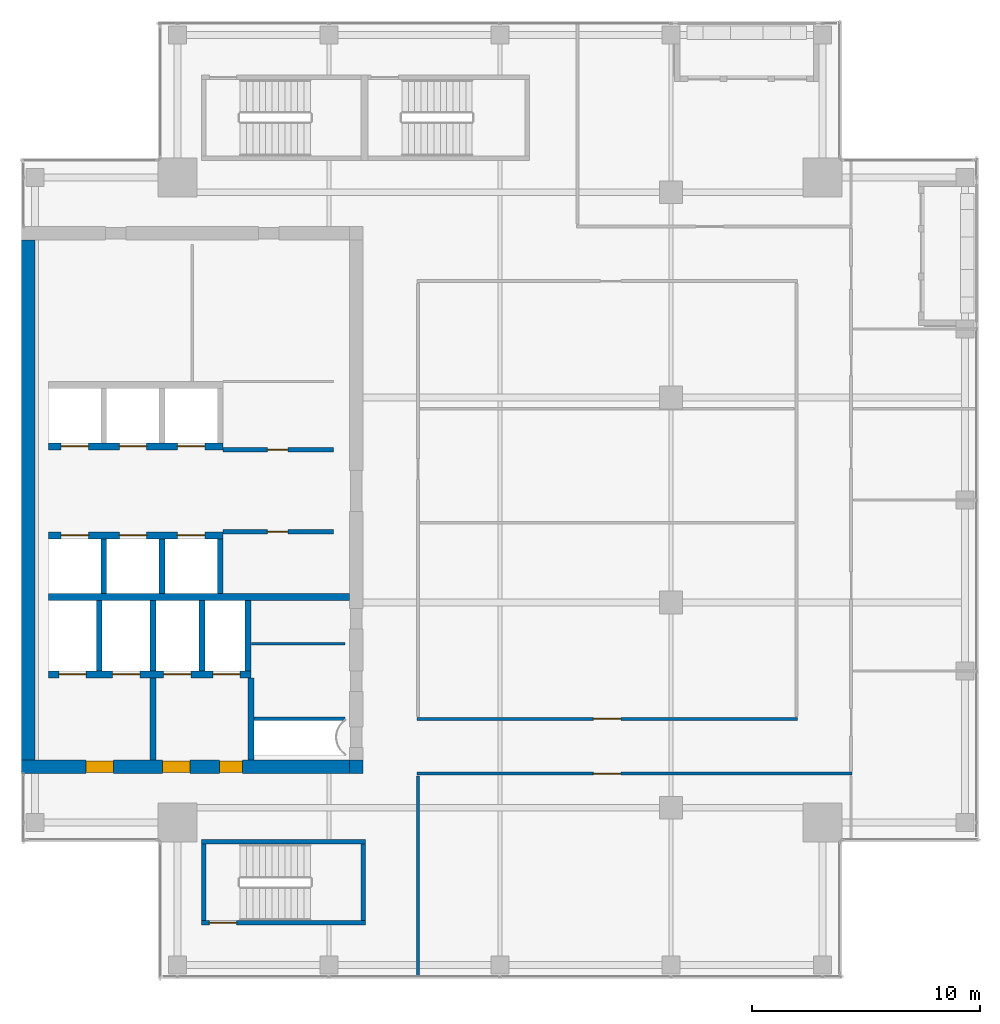
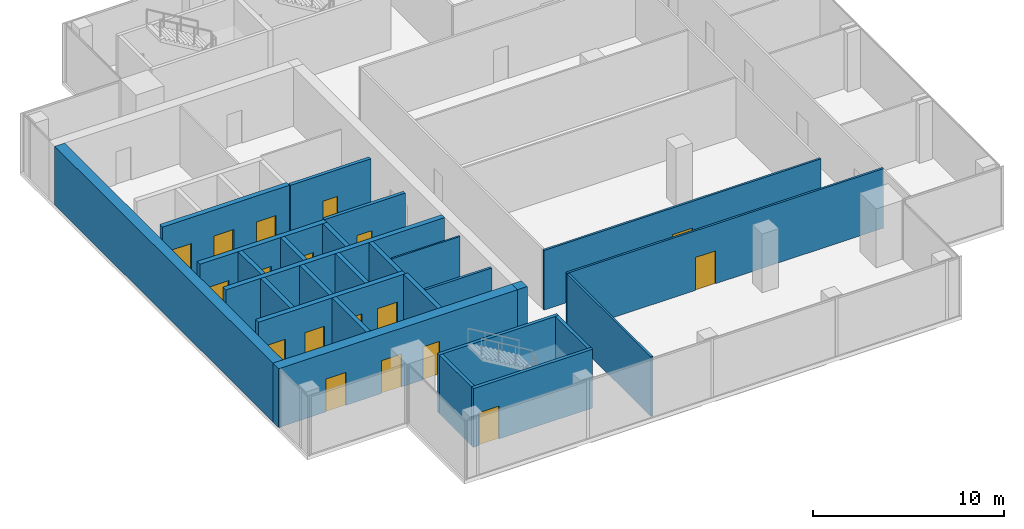
# One storey, part 25 of 29: 27 walls, 18 doors, 18 openings.
"""IFC4 building model written with IfcOpenShell, lengths in metres."""

from ifc_helpers import new_model, si_unit, direction, frame, frame_2d, origin, place, context, subcontext, project, spatial, rectangle, extrude, source, transform, mapped, material, layer, layer_set, type_object, element, fill, save


model = new_model("IFC4")

# Units and contexts
model_context = context("Model", 3, precision=1e-05, world=origin(), true_north=direction((0.0, 1.0)))
body_context = subcontext(model_context, "Body", "Model", "MODEL_VIEW")
ifc_project = project(units=[si_unit("LENGTHUNIT", "METRE"), si_unit("AREAUNIT", "SQUARE_METRE"), si_unit("VOLUMEUNIT", "CUBIC_METRE"), si_unit("PLANEANGLEUNIT", "RADIAN"), si_unit("MASSUNIT", "GRAM", prefix="KILO")], contexts=[model_context])

# Site, building, storey
site_placement = place(None, origin())
site = spatial("IfcSite", under=ifc_project, at=site_placement, CompositionType="ELEMENT")
building_placement = place(site_placement, origin())
building = spatial("IfcBuilding", under=site, at=building_placement, Name="Khomas Fold Tower", CompositionType="ELEMENT")
storey_placement = place(building_placement, frame((0.0, 0.0, 310.199951171875)))
storey = spatial("IfcBuildingStorey", under=building, at=storey_placement, Name="L70", CompositionType="ELEMENT", Elevation=310.199951171875)

# Wall
ifc_material_1 = material(Name="Concrete C50/60", Category="concrete")
ifc_layer_1 = layer(ifc_material_1, 0.199951171875)
ifc_layer_set_1 = layer_set([ifc_layer_1], Name="Concrete C50/60")
wall_type_1 = type_object("IfcWallType", Name="Stair wall 200", PredefinedType="SHEAR", material=ifc_layer_set_1)
shared_shape_1 = source(origin(), body_context, "Body", "SweptSolid", [
    extrude(rectangle(XDim=7.2001953125, YDim=0.199951171875, at=frame_2d((3.60009765625, 0.0))), origin(), (0.0, 0.0, 1.0), 3.75),
])
wall_1_placement = place(storey_placement, frame((13.89990234375, 12.0, 0.0), z_axis=(0.0, 0.0, 1.0), x_axis=(1.0, 0.0, 0.0)))
element("IfcWall", 1, at=wall_1_placement, inside=storey, type_object=wall_type_1, Name="Stair wall SW-ST2-NH", PredefinedType="SHEAR", context=body_context, shape_type="MappedRepresentation", body=[
    mapped(shared_shape_1, transform((0.0, 0.0, 0.0))),
])

# Wall, opening, door
wall_2_placement = place(storey_placement, frame((13.89990234375, 8.449951171875, 0.0), z_axis=(0.0, 0.0, 1.0), x_axis=(1.0, 0.0, 0.0)))
wall_2 = element("IfcWall", 2, at=wall_2_placement, inside=storey, type_object=wall_type_1, Name="Stair wall SW-ST2-S", PredefinedType="SHEAR", context=body_context, shape_type="MappedRepresentation", body=[
    mapped(shared_shape_1, transform((0.0, 0.0, 0.0))),
])
shared_shape_2 = source(origin(), body_context, "Body", "SweptSolid", [
    extrude(rectangle(XDim=1.199951171875, YDim=2.10009765625, at=frame_2d((0.60009765625, 1.050048828125))), frame((0.0, 0.10986328125, 0.0), z_axis=(0.0, -1.0, 0.0), x_axis=(1.0, 0.0, 0.0)), (0.0, 0.0, 1.0), 0.219970703125),
])
opening_1_placement = place(wall_2_placement, frame((0.35009765625, 0.0, 0.0)))
opening_1 = element("IfcOpeningElement", 3, at=opening_1_placement, cuts=wall_2, Name="Opening SD-ST2", PredefinedType="OPENING", context=body_context, shape_type="MappedRepresentation", body=[
    mapped(shared_shape_2, transform((0.0, 0.0, 0.0))),
])
ifc_material_2 = material(Name="Steel door leaf", Category="steel")
door_type_1 = type_object("IfcDoorType", Name="Stair door 1200x2100 right-hand", OperationType="SINGLE_SWING_RIGHT", PredefinedType="DOOR", material=ifc_material_2)
shared_shape_3 = source(origin(), body_context, "Body", "SweptSolid", [
    extrude(rectangle(XDim=1.199951171875, YDim=2.10009765625, at=frame_2d((0.60009765625, 1.050048828125))), frame((0.0, 0.02490234375, 0.0), z_axis=(0.0, -1.0, 0.0), x_axis=(1.0, 0.0, 0.0)), (0.0, 0.0, 1.0), 0.050048828125),
])
door_1_placement = place(opening_1_placement, origin())
door_1 = element("IfcDoor", 4, at=door_1_placement, inside=storey, type_object=door_type_1, Name="Stair door", OperationType="SINGLE_SWING_RIGHT", OverallHeight=2.10009765625, OverallWidth=1.199951171875, PredefinedType="DOOR", context=body_context, shape_type="MappedRepresentation", body=[
    mapped(shared_shape_3, transform((0.0, 0.0, 0.0))),
])
fill(opening_1, door_1)

# Walls
shared_shape_4 = source(origin(), body_context, "Body", "SweptSolid", [
    extrude(rectangle(XDim=3.349853515625, YDim=0.199951171875, at=frame_2d((1.6748046875, 0.0))), origin(), (0.0, 0.0, 1.0), 3.75),
])
for number, where, z_axis, x_axis, name in (
    (5, (21.0, 8.550048828125, 0.0), (0.0, 0.0, 1.0), (0.0, 1.0, 0.0), "Stair wall SW-ST2-E"),
    (6, (14.0, 8.550048828125, 0.0), (0.0, 0.0, 1.0), (0.0, 1.0, 0.0), "Stair wall SW-ST2-W"),
):
    element("IfcWall", number, at=place(storey_placement, frame(where, z_axis=z_axis, x_axis=x_axis)), inside=storey, type_object=wall_type_1, Name=name, PredefinedType="SHEAR", context=body_context, shape_type="MappedRepresentation", body=[
        mapped(shared_shape_4, transform((0.0, 0.0, 0.0))),
    ])
ifc_material_3 = material(Name="Concrete C50/60", Category="concrete")
ifc_layer_2 = layer(ifc_material_3, 0.25)
ifc_layer_set_2 = layer_set([ifc_layer_2], Name="Concrete C50/60")
wall_type_2 = type_object("IfcWallType", Name="Shaft wall 250", PredefinedType="STANDARD", material=ifc_layer_set_2)
shared_shape_5 = source(origin(), body_context, "Body", "SweptSolid", [
    extrude(rectangle(XDim=3.10009765625, YDim=0.25, at=frame_2d((1.550048828125, 0.0))), origin(), (0.0, 0.0, 1.0), 3.75),
])
for number, where, z_axis, x_axis, name in (
    (7, (9.425048828125, 19.5, 0.0), (0.0, 0.0, 1.0), (0.0, 1.0, 0.0), "Core wall SW-FS-P1"),
    (8, (11.77490234375, 19.5, 0.0), (0.0, 0.0, 1.0), (0.0, 1.0, 0.0), "Core wall SW-FS-P2"),
    (9, (13.925048828125, 19.5, 0.0), (0.0, 0.0, 1.0), (0.0, 1.0, 0.0), "Core wall SW-FS-P3"),
    (10, (15.949951171875, 19.5, 0.0), (0.0, 0.0, 1.0), (0.0, 1.0, 0.0), "Core wall SW-FS-PE"),
):
    element("IfcWall", number, at=place(storey_placement, frame(where, z_axis=z_axis, x_axis=x_axis)), inside=storey, type_object=wall_type_2, Name=name, PredefinedType="STANDARD", context=body_context, shape_type="MappedRepresentation", body=[
        mapped(shared_shape_5, transform((0.0, 0.0, 0.0))),
    ])
shared_shape_6 = source(origin(), body_context, "Body", "SweptSolid", [
    extrude(rectangle(XDim=2.400146484375, YDim=0.25, at=frame_2d((1.2001953125, 0.0))), origin(), (0.0, 0.0, 1.0), 3.75),
])
for number, where, z_axis, x_axis, name in (
    (11, (9.625, 22.89990234375, 0.0), (0.0, 0.0, 1.0), (0.0, 1.0, 0.0), "Core wall SW-HRS-P1"),
    (12, (12.175048828125, 22.89990234375, 0.0), (0.0, 0.0, 1.0), (0.0, 1.0, 0.0), "Core wall SW-HRS-P2"),
    (13, (14.72509765625, 22.89990234375, 0.0), (0.0, 0.0, 1.0), (0.0, 1.0, 0.0), "Core wall SW-HRS-PE"),
):
    element("IfcWall", number, at=place(storey_placement, frame(where, z_axis=z_axis, x_axis=x_axis)), inside=storey, type_object=wall_type_2, Name=name, PredefinedType="STANDARD", context=body_context, shape_type="MappedRepresentation", body=[
        mapped(shared_shape_6, transform((0.0, 0.0, 0.0))),
    ])

# Wall, openings, doors
ifc_material_4 = material(Name="Concrete C50/60", Category="concrete")
ifc_layer_3 = layer(ifc_material_4, 0.60009765625)
ifc_layer_set_3 = layer_set([ifc_layer_3], Name="Concrete C50/60")
wall_type_3 = type_object("IfcWallType", Name="Core wall 600", PredefinedType="SHEAR", material=ifc_layer_set_3)
shared_shape_7 = source(origin(), body_context, "Body", "SweptSolid", [
    extrude(rectangle(XDim=14.39990234375, YDim=0.60009765625, at=frame_2d((7.199951171875, 0.0))), origin(), (0.0, 0.0, 1.0), 3.75),
])
wall_3_placement = place(storey_placement, frame((6.0, 15.300048828125, 0.0), z_axis=(0.0, 0.0, 1.0), x_axis=(1.0, 0.0, 0.0)))
wall_3 = element("IfcWall", 14, at=wall_3_placement, inside=storey, type_object=wall_type_3, Name="Core wall CW-U-S-L63", PredefinedType="SHEAR", context=body_context, shape_type="MappedRepresentation", body=[
    mapped(shared_shape_7, transform((0.0, 0.0, 0.0))),
])
shared_shape_8 = source(origin(), body_context, "Body", "SweptSolid", [
    extrude(rectangle(XDim=1.199951171875, YDim=2.10009765625, at=frame_2d((0.60009765625, 1.050048828125))), frame((0.0, 0.31005859375, 0.0), z_axis=(0.0, -1.0, 0.0), x_axis=(1.0, 0.0, 0.0)), (0.0, 0.0, 1.0), 0.6201171875),
])
opening_2_placement = place(wall_3_placement, frame((6.199951171875, 0.0, 0.0)))
opening_2 = element("IfcOpeningElement", 15, at=opening_2_placement, cuts=wall_3, Name="Opening 0009", PredefinedType="OPENING", context=body_context, shape_type="MappedRepresentation", body=[
    mapped(shared_shape_8, transform((0.0, 0.0, 0.0))),
])
opening_3_placement = place(wall_3_placement, frame((2.85009765625, 0.0, 0.0)))
opening_3 = element("IfcOpeningElement", 16, at=opening_3_placement, cuts=wall_3, Name="Opening 0009", PredefinedType="OPENING", context=body_context, shape_type="MappedRepresentation", body=[
    mapped(shared_shape_8, transform((0.0, 0.0, 0.0))),
])
shared_shape_9 = source(origin(), body_context, "Body", "SweptSolid", [
    extrude(rectangle(XDim=1.0, YDim=2.10009765625, at=frame_2d((0.5, 1.050048828125))), frame((0.0, 0.31005859375, 0.0), z_axis=(0.0, -1.0, 0.0), x_axis=(1.0, 0.0, 0.0)), (0.0, 0.0, 1.0), 0.6201171875),
])
opening_4_placement = place(wall_3_placement, frame((8.699951171875, 0.0, 0.0)))
opening_4 = element("IfcOpeningElement", 17, at=opening_4_placement, cuts=wall_3, Name="Opening 0010", PredefinedType="OPENING", context=body_context, shape_type="MappedRepresentation", body=[
    mapped(shared_shape_9, transform((0.0, 0.0, 0.0))),
])
ifc_material_5 = material(Name="Steel door leaf", Category="steel")
door_type_2 = type_object("IfcDoorType", Name="Stair door 1000x2100 right-hand", OperationType="SINGLE_SWING_RIGHT", PredefinedType="DOOR", material=ifc_material_5)
shared_shape_10 = source(origin(), body_context, "Body", "SweptSolid", [
    extrude(rectangle(XDim=1.0, YDim=2.10009765625, at=frame_2d((0.5, 1.050048828125))), frame((0.0, 0.25, 0.0), z_axis=(0.0, -1.0, 0.0), x_axis=(1.0, 0.0, 0.0)), (0.0, 0.0, 1.0), 0.5),
])
door_2_placement = place(opening_4_placement, origin())
door_2 = element("IfcDoor", 18, at=door_2_placement, inside=storey, type_object=door_type_2, Name="Stair door", OperationType="SINGLE_SWING_RIGHT", OverallHeight=2.10009765625, OverallWidth=1.0, PredefinedType="DOOR", context=body_context, shape_type="MappedRepresentation", body=[
    mapped(shared_shape_10, transform((0.0, 0.0, 0.0))),
])
fill(opening_4, door_2)
ifc_material_6 = material(Name="Steel door leaf", Category="steel")
door_type_3 = type_object("IfcDoorType", Name="Lobby door 1200x2100 right-hand", OperationType="SINGLE_SWING_RIGHT", PredefinedType="DOOR", material=ifc_material_6)
shared_shape_11 = source(origin(), body_context, "Body", "SweptSolid", [
    extrude(rectangle(XDim=1.199951171875, YDim=2.10009765625, at=frame_2d((0.60009765625, 1.050048828125))), frame((0.0, 0.25, 0.0), z_axis=(0.0, -1.0, 0.0), x_axis=(1.0, 0.0, 0.0)), (0.0, 0.0, 1.0), 0.5),
])
door_3_placement = place(opening_2_placement, origin())
door_3 = element("IfcDoor", 19, at=door_3_placement, inside=storey, type_object=door_type_3, Name="Lobby door", OperationType="SINGLE_SWING_RIGHT", OverallHeight=2.10009765625, OverallWidth=1.199951171875, PredefinedType="DOOR", context=body_context, shape_type="MappedRepresentation", body=[
    mapped(shared_shape_11, transform((0.0, 0.0, 0.0))),
])
fill(opening_2, door_3)
door_4_placement = place(opening_3_placement, origin())
door_4 = element("IfcDoor", 20, at=door_4_placement, inside=storey, type_object=door_type_3, Name="Lobby door", OperationType="SINGLE_SWING_RIGHT", OverallHeight=2.10009765625, OverallWidth=1.199951171875, PredefinedType="DOOR", context=body_context, shape_type="MappedRepresentation", body=[
    mapped(shared_shape_11, transform((0.0, 0.0, 0.0))),
])
fill(opening_3, door_4)

# Walls
ifc_material_7 = material(Name="Concrete C50/60", Category="concrete")
ifc_layer_4 = layer(ifc_material_7, 0.60009765625)
ifc_layer_set_4 = layer_set([ifc_layer_4], Name="Concrete C50/60")
wall_type_4 = type_object("IfcWallType", Name="Core corner wall 600", PredefinedType="SHEAR", material=ifc_layer_set_4)
shared_shape_12 = source(origin(), body_context, "Body", "SweptSolid", [
    extrude(rectangle(XDim=0.60009765625, YDim=0.60009765625, at=frame_2d((0.300048828125, 0.0))), origin(), (0.0, 0.0, 1.0), 3.75),
])
wall_4_placement = place(storey_placement, frame((20.39990234375, 15.300048828125, 0.0), z_axis=(0.0, 0.0, 1.0), x_axis=(1.0, 0.0, 0.0)))
element("IfcWall", 21, at=wall_4_placement, inside=storey, type_object=wall_type_4, Name="Core wall CW-U-SE-L63", PredefinedType="SHEAR", context=body_context, shape_type="MappedRepresentation", body=[
    mapped(shared_shape_12, transform((0.0, 0.0, 0.0))),
])
shared_shape_13 = source(origin(), body_context, "Body", "SweptSolid", [
    extrude(rectangle(XDim=22.7998046875, YDim=0.60009765625, at=frame_2d((11.39990234375, 0.0))), origin(), (0.0, 0.0, 1.0), 3.75),
])
wall_5_placement = place(storey_placement, frame((6.300048828125, 15.60009765625, 0.0), z_axis=(0.0, 0.0, 1.0), x_axis=(0.0, 1.0, 0.0)))
element("IfcWall", 22, at=wall_5_placement, inside=storey, type_object=wall_type_3, Name="Core wall CW-U-W-L63", PredefinedType="SHEAR", context=body_context, shape_type="MappedRepresentation", body=[
    mapped(shared_shape_13, transform((0.0, 0.0, 0.0))),
])
ifc_material_8 = material(Name="Concrete C50/60", Category="concrete")
ifc_layer_5 = layer(ifc_material_8, 0.300048828125)
ifc_layer_set_5 = layer_set([ifc_layer_5], Name="Concrete C50/60")
wall_type_5 = type_object("IfcWallType", Name="Shaft wall 300", PredefinedType="STANDARD", material=ifc_layer_set_5)
shared_shape_14 = source(origin(), body_context, "Body", "SweptSolid", [
    extrude(rectangle(XDim=13.199951171875, YDim=0.300048828125, at=frame_2d((6.60009765625, 0.0))), origin(), (0.0, 0.0, 1.0), 3.75),
])
wall_6_placement = place(storey_placement, frame((7.199951171875, 22.75, 0.0), z_axis=(0.0, 0.0, 1.0), x_axis=(1.0, 0.0, 0.0)))
element("IfcWall", 23, at=wall_6_placement, inside=storey, type_object=wall_type_5, Name="Core wall SW-FS-B", PredefinedType="STANDARD", context=body_context, shape_type="MappedRepresentation", body=[
    mapped(shared_shape_14, transform((0.0, 0.0, 0.0))),
])

# Wall, openings, doors
shared_shape_15 = source(origin(), body_context, "Body", "SweptSolid", [
    extrude(rectangle(XDim=8.875, YDim=0.300048828125, at=frame_2d((4.4375, 0.0))), origin(), (0.0, 0.0, 1.0), 3.75),
])
wall_7_placement = place(storey_placement, frame((7.199951171875, 19.35009765625, 0.0), z_axis=(0.0, 0.0, 1.0), x_axis=(1.0, 0.0, 0.0)))
wall_7 = element("IfcWall", 24, at=wall_7_placement, inside=storey, type_object=wall_type_5, Name="Core wall SW-FS-F", PredefinedType="STANDARD", context=body_context, shape_type="MappedRepresentation", body=[
    mapped(shared_shape_15, transform((0.0, 0.0, 0.0))),
])
shared_shape_16 = source(origin(), body_context, "Body", "SweptSolid", [
    extrude(rectangle(XDim=1.199951171875, YDim=2.10009765625, at=frame_2d((0.60009765625, 1.050048828125))), frame((0.0, 0.159912109375, 0.0), z_axis=(0.0, -1.0, 0.0), x_axis=(1.0, 0.0, 0.0)), (0.0, 0.0, 1.0), 0.320068359375),
])
opening_5_placement = place(wall_7_placement, frame((0.449951171875, 0.0, 0.0)))
opening_5 = element("IfcOpeningElement", 25, at=opening_5_placement, cuts=wall_7, Name="Opening LD-SV1", PredefinedType="OPENING", context=body_context, shape_type="MappedRepresentation", body=[
    mapped(shared_shape_16, transform((0.0, 0.0, 0.0))),
])
opening_6_placement = place(wall_7_placement, frame((2.800048828125, 0.0, 0.0)))
opening_6 = element("IfcOpeningElement", 26, at=opening_6_placement, cuts=wall_7, Name="Opening LD-SV2", PredefinedType="OPENING", context=body_context, shape_type="MappedRepresentation", body=[
    mapped(shared_shape_16, transform((0.0, 0.0, 0.0))),
])
opening_7_placement = place(wall_7_placement, frame((5.050048828125, 0.0, 0.0)))
opening_7 = element("IfcOpeningElement", 27, at=opening_7_placement, cuts=wall_7, Name="Opening LD-FF1", PredefinedType="OPENING", context=body_context, shape_type="MappedRepresentation", body=[
    mapped(shared_shape_16, transform((0.0, 0.0, 0.0))),
])
opening_8_placement = place(wall_7_placement, frame((7.199951171875, 0.0, 0.0)))
opening_8 = element("IfcOpeningElement", 28, at=opening_8_placement, cuts=wall_7, Name="Opening LD-FF2", PredefinedType="OPENING", context=body_context, shape_type="MappedRepresentation", body=[
    mapped(shared_shape_16, transform((0.0, 0.0, 0.0))),
])
ifc_material_9 = material(Name="Steel door leaf", Category="steel")
door_type_4 = type_object("IfcDoorType", Name="Landing door 1200x2100", OperationType="DOUBLE_DOOR_SLIDING", PredefinedType="DOOR", material=ifc_material_9)
door_5_placement = place(opening_5_placement, origin())
door_5 = element("IfcDoor", 29, at=door_5_placement, inside=storey, type_object=door_type_4, Name="Lift landing door", OperationType="DOUBLE_DOOR_SLIDING", OverallHeight=2.10009765625, OverallWidth=1.199951171875, PredefinedType="DOOR", context=body_context, shape_type="MappedRepresentation", body=[
    mapped(shared_shape_3, transform((0.0, 0.0, 0.0))),
])
fill(opening_5, door_5)
door_6_placement = place(opening_6_placement, origin())
door_6 = element("IfcDoor", 30, at=door_6_placement, inside=storey, type_object=door_type_4, Name="Lift landing door", OperationType="DOUBLE_DOOR_SLIDING", OverallHeight=2.10009765625, OverallWidth=1.199951171875, PredefinedType="DOOR", context=body_context, shape_type="MappedRepresentation", body=[
    mapped(shared_shape_3, transform((0.0, 0.0, 0.0))),
])
fill(opening_6, door_6)
door_7_placement = place(opening_7_placement, origin())
door_7 = element("IfcDoor", 31, at=door_7_placement, inside=storey, type_object=door_type_4, Name="Lift landing door", OperationType="DOUBLE_DOOR_SLIDING", OverallHeight=2.10009765625, OverallWidth=1.199951171875, PredefinedType="DOOR", context=body_context, shape_type="MappedRepresentation", body=[
    mapped(shared_shape_3, transform((0.0, 0.0, 0.0))),
])
fill(opening_7, door_7)
door_8_placement = place(opening_8_placement, origin())
door_8 = element("IfcDoor", 32, at=door_8_placement, inside=storey, type_object=door_type_4, Name="Lift landing door", OperationType="DOUBLE_DOOR_SLIDING", OverallHeight=2.10009765625, OverallWidth=1.199951171875, PredefinedType="DOOR", context=body_context, shape_type="MappedRepresentation", body=[
    mapped(shared_shape_3, transform((0.0, 0.0, 0.0))),
])
fill(opening_8, door_8)

shared_shape_17 = source(origin(), body_context, "Body", "SweptSolid", [
    extrude(rectangle(XDim=7.650146484375, YDim=0.300048828125, at=frame_2d((3.8251953125, 0.0))), origin(), (0.0, 0.0, 1.0), 3.75),
])
wall_8_placement = place(storey_placement, frame((7.199951171875, 29.35009765625, 0.0), z_axis=(0.0, 0.0, 1.0), x_axis=(1.0, 0.0, 0.0)))
wall_8 = element("IfcWall", 33, at=wall_8_placement, inside=storey, type_object=wall_type_5, Name="Core wall SW-HRN-F", PredefinedType="STANDARD", context=body_context, shape_type="MappedRepresentation", body=[
    mapped(shared_shape_17, transform((0.0, 0.0, 0.0))),
])
opening_9_placement = place(wall_8_placement, frame((0.550048828125, 0.0, 0.0)))
opening_9 = element("IfcOpeningElement", 34, at=opening_9_placement, cuts=wall_8, Name="Opening LD-HR4", PredefinedType="OPENING", context=body_context, shape_type="MappedRepresentation", body=[
    mapped(shared_shape_16, transform((0.0, 0.0, 0.0))),
])
opening_10_placement = place(wall_8_placement, frame((3.10009765625, 0.0, 0.0)))
opening_10 = element("IfcOpeningElement", 35, at=opening_10_placement, cuts=wall_8, Name="Opening LD-HR5", PredefinedType="OPENING", context=body_context, shape_type="MappedRepresentation", body=[
    mapped(shared_shape_16, transform((0.0, 0.0, 0.0))),
])
opening_11_placement = place(wall_8_placement, frame((5.64990234375, 0.0, 0.0)))
opening_11 = element("IfcOpeningElement", 36, at=opening_11_placement, cuts=wall_8, Name="Opening LD-HR6", PredefinedType="OPENING", context=body_context, shape_type="MappedRepresentation", body=[
    mapped(shared_shape_16, transform((0.0, 0.0, 0.0))),
])
door_9_placement = place(opening_9_placement, origin())
door_9 = element("IfcDoor", 37, at=door_9_placement, inside=storey, type_object=door_type_4, Name="Lift landing door", OperationType="DOUBLE_DOOR_SLIDING", OverallHeight=2.10009765625, OverallWidth=1.199951171875, PredefinedType="DOOR", context=body_context, shape_type="MappedRepresentation", body=[
    mapped(shared_shape_3, transform((0.0, 0.0, 0.0))),
])
fill(opening_9, door_9)
door_10_placement = place(opening_10_placement, origin())
door_10 = element("IfcDoor", 38, at=door_10_placement, inside=storey, type_object=door_type_4, Name="Lift landing door", OperationType="DOUBLE_DOOR_SLIDING", OverallHeight=2.10009765625, OverallWidth=1.199951171875, PredefinedType="DOOR", context=body_context, shape_type="MappedRepresentation", body=[
    mapped(shared_shape_3, transform((0.0, 0.0, 0.0))),
])
fill(opening_10, door_10)
door_11_placement = place(opening_11_placement, origin())
door_11 = element("IfcDoor", 39, at=door_11_placement, inside=storey, type_object=door_type_4, Name="Lift landing door", OperationType="DOUBLE_DOOR_SLIDING", OverallHeight=2.10009765625, OverallWidth=1.199951171875, PredefinedType="DOOR", context=body_context, shape_type="MappedRepresentation", body=[
    mapped(shared_shape_3, transform((0.0, 0.0, 0.0))),
])
fill(opening_11, door_11)

wall_9_placement = place(storey_placement, frame((7.199951171875, 25.449951171875, 0.0), z_axis=(0.0, 0.0, 1.0), x_axis=(1.0, 0.0, 0.0)))
wall_9 = element("IfcWall", 40, at=wall_9_placement, inside=storey, type_object=wall_type_5, Name="Core wall SW-HRS-F", PredefinedType="STANDARD", context=body_context, shape_type="MappedRepresentation", body=[
    mapped(shared_shape_17, transform((0.0, 0.0, 0.0))),
])
opening_12_placement = place(wall_9_placement, frame((0.550048828125, 0.0, 0.0)))
opening_12 = element("IfcOpeningElement", 41, at=opening_12_placement, cuts=wall_9, Name="Opening LD-HR1", PredefinedType="OPENING", context=body_context, shape_type="MappedRepresentation", body=[
    mapped(shared_shape_16, transform((0.0, 0.0, 0.0))),
])
opening_13_placement = place(wall_9_placement, frame((3.10009765625, 0.0, 0.0)))
opening_13 = element("IfcOpeningElement", 42, at=opening_13_placement, cuts=wall_9, Name="Opening LD-HR2", PredefinedType="OPENING", context=body_context, shape_type="MappedRepresentation", body=[
    mapped(shared_shape_16, transform((0.0, 0.0, 0.0))),
])
opening_14_placement = place(wall_9_placement, frame((5.64990234375, 0.0, 0.0)))
opening_14 = element("IfcOpeningElement", 43, at=opening_14_placement, cuts=wall_9, Name="Opening LD-HR3", PredefinedType="OPENING", context=body_context, shape_type="MappedRepresentation", body=[
    mapped(shared_shape_16, transform((0.0, 0.0, 0.0))),
])
door_12_placement = place(opening_12_placement, origin())
door_12 = element("IfcDoor", 44, at=door_12_placement, inside=storey, type_object=door_type_4, Name="Lift landing door", OperationType="DOUBLE_DOOR_SLIDING", OverallHeight=2.10009765625, OverallWidth=1.199951171875, PredefinedType="DOOR", context=body_context, shape_type="MappedRepresentation", body=[
    mapped(shared_shape_3, transform((0.0, 0.0, 0.0))),
])
fill(opening_12, door_12)
door_13_placement = place(opening_13_placement, origin())
door_13 = element("IfcDoor", 45, at=door_13_placement, inside=storey, type_object=door_type_4, Name="Lift landing door", OperationType="DOUBLE_DOOR_SLIDING", OverallHeight=2.10009765625, OverallWidth=1.199951171875, PredefinedType="DOOR", context=body_context, shape_type="MappedRepresentation", body=[
    mapped(shared_shape_3, transform((0.0, 0.0, 0.0))),
])
fill(opening_13, door_13)
door_14_placement = place(opening_14_placement, origin())
door_14 = element("IfcDoor", 46, at=door_14_placement, inside=storey, type_object=door_type_4, Name="Lift landing door", OperationType="DOUBLE_DOOR_SLIDING", OverallHeight=2.10009765625, OverallWidth=1.199951171875, PredefinedType="DOOR", context=body_context, shape_type="MappedRepresentation", body=[
    mapped(shared_shape_3, transform((0.0, 0.0, 0.0))),
])
fill(opening_14, door_14)

# Walls
ifc_material_10 = material(Name="Concrete C50/60", Category="concrete")
ifc_layer_6 = layer(ifc_material_10, 0.25)
ifc_layer_set_6 = layer_set([ifc_layer_6], Name="Concrete C50/60")
wall_type_6 = type_object("IfcWallType", Name="Lobby wall 250", PredefinedType="STANDARD", material=ifc_layer_set_6)
shared_shape_18 = source(origin(), body_context, "Body", "SweptSolid", [
    extrude(rectangle(XDim=3.599853515625, YDim=0.25, at=frame_2d((1.7998046875, 0.0))), origin(), (0.0, 0.0, 1.0), 3.75),
])
for number, where, z_axis, x_axis, name in (
    (47, (16.074951171875, 15.60009765625, 0.0), (0.0, 0.0, 1.0), (0.0, 1.0, 0.0), "Core wall SW-FS-LOB-E"),
    (48, (11.77490234375, 15.60009765625, 0.0), (0.0, 0.0, 1.0), (0.0, 1.0, 0.0), "Core wall SW-FS-SEP"),
):
    element("IfcWall", number, at=place(storey_placement, frame(where, z_axis=z_axis, x_axis=x_axis)), inside=storey, type_object=wall_type_6, Name=name, PredefinedType="STANDARD", context=body_context, shape_type="MappedRepresentation", body=[
        mapped(shared_shape_18, transform((0.0, 0.0, 0.0))),
    ])
ifc_material_11 = material(Name="Plasterboard fire partition")
ifc_layer_7 = layer(ifc_material_11, 0.14990234375)
ifc_layer_set_7 = layer_set([ifc_layer_7], Name="Plasterboard fire partition")
wall_type_7 = type_object("IfcWallType", Name="Plant room wall PW3 150", PredefinedType="PARTITIONING", material=ifc_layer_set_7)
shared_shape_19 = source(origin(), body_context, "Body", "SweptSolid", [
    extrude(rectangle(XDim=4.0, YDim=0.14990234375, at=frame_2d((2.0, 0.0))), origin(), (0.0, 0.0, 1.0), 3.800048828125),
])
wall_10_placement = place(storey_placement, frame((16.199951171875, 17.39990234375, 0.0), z_axis=(0.0, 0.0, 1.0), x_axis=(1.0, 0.0, 0.0)))
element("IfcWall", 49, at=wall_10_placement, inside=storey, type_object=wall_type_7, Name="Plant room wall", PredefinedType="PARTITIONING", context=body_context, shape_type="MappedRepresentation", body=[
    mapped(shared_shape_19, transform((0.0, 0.0, 0.0))),
])
ifc_material_12 = material(Name="Plasterboard partition")
ifc_layer_8 = layer(ifc_material_12, 0.10009765625)
ifc_layer_set_8 = layer_set([ifc_layer_8], Name="Plasterboard partition")
wall_type_8 = type_object("IfcWallType", Name="Partition PW1 100", PredefinedType="PARTITIONING", material=ifc_layer_set_8)
shared_shape_20 = source(origin(), body_context, "Body", "SweptSolid", [
    extrude(rectangle(XDim=4.099853515625, YDim=0.10009765625, at=frame_2d((2.0498046875, 0.0))), origin(), (0.0, 0.0, 1.0), 3.800048828125),
])
wall_11_placement = place(storey_placement, frame((16.10009765625, 20.699951171875, 0.0), z_axis=(0.0, 0.0, 1.0), x_axis=(1.0, 0.0, 0.0)))
element("IfcWall", 50, at=wall_11_placement, inside=storey, type_object=wall_type_8, Name="Partition", PredefinedType="PARTITIONING", context=body_context, shape_type="MappedRepresentation", body=[
    mapped(shared_shape_20, transform((0.0, 0.0, 0.0))),
])

# Wall, opening, door
ifc_material_13 = material(Name="Concrete C30/37", Category="concrete")
ifc_layer_9 = layer(ifc_material_13, 0.199951171875)
ifc_layer_set_9 = layer_set([ifc_layer_9], Name="Concrete C30/37")
wall_type_9 = type_object("IfcWallType", Name="Lobby wall PW4 200", PredefinedType="PARTITIONING", material=ifc_layer_set_9)
shared_shape_21 = source(origin(), body_context, "Body", "SweptSolid", [
    extrude(rectangle(XDim=4.849853515625, YDim=0.199951171875, at=frame_2d((2.4248046875, 0.0))), origin(), (0.0, 0.0, 1.0), 3.800048828125),
])
wall_12_placement = place(storey_placement, frame((14.85009765625, 25.60009765625, 0.0), z_axis=(0.0, 0.0, 1.0), x_axis=(1.0, 0.0, 0.0)))
wall_12 = element("IfcWall", 51, at=wall_12_placement, inside=storey, type_object=wall_type_9, Name="Lobby wall", PredefinedType="PARTITIONING", context=body_context, shape_type="MappedRepresentation", body=[
    mapped(shared_shape_21, transform((0.0, 0.0, 0.0))),
])
shared_shape_22 = source(origin(), body_context, "Body", "SweptSolid", [
    extrude(rectangle(XDim=0.89990234375, YDim=2.10009765625, at=frame_2d((0.449951171875, 1.050048828125))), frame((0.0, 0.10986328125, 0.0), z_axis=(0.0, -1.0, 0.0), x_axis=(1.0, 0.0, 0.0)), (0.0, 0.0, 1.0), 0.219970703125),
])
opening_15_placement = place(wall_12_placement, frame((1.949951171875, 0.0, 0.0)))
opening_15 = element("IfcOpeningElement", 52, at=opening_15_placement, cuts=wall_12, Name="Opening 0002", PredefinedType="OPENING", context=body_context, shape_type="MappedRepresentation", body=[
    mapped(shared_shape_22, transform((0.0, 0.0, 0.0))),
])
ifc_material_14 = material(Name="Steel door leaf", Category="steel")
door_type_5 = type_object("IfcDoorType", Name="Plant room door 900x2100 left-hand", OperationType="SINGLE_SWING_LEFT", PredefinedType="DOOR", material=ifc_material_14)
shared_shape_23 = source(origin(), body_context, "Body", "SweptSolid", [
    extrude(rectangle(XDim=0.89990234375, YDim=2.10009765625, at=frame_2d((0.449951171875, 1.050048828125))), frame((0.0, 0.02490234375, 0.0), z_axis=(0.0, -1.0, 0.0), x_axis=(1.0, 0.0, 0.0)), (0.0, 0.0, 1.0), 0.050048828125),
])
door_15_placement = place(opening_15_placement, origin())
door_15 = element("IfcDoor", 53, at=door_15_placement, inside=storey, type_object=door_type_5, Name="Plant room door", OperationType="SINGLE_SWING_LEFT", OverallHeight=2.10009765625, OverallWidth=0.89990234375, PredefinedType="DOOR", context=body_context, shape_type="MappedRepresentation", body=[
    mapped(shared_shape_23, transform((0.0, 0.0, 0.0))),
])
fill(opening_15, door_15)

wall_13_placement = place(storey_placement, frame((14.85009765625, 29.199951171875, 0.0), z_axis=(0.0, 0.0, 1.0), x_axis=(1.0, 0.0, 0.0)))
wall_13 = element("IfcWall", 54, at=wall_13_placement, inside=storey, type_object=wall_type_9, Name="Lobby wall", PredefinedType="PARTITIONING", context=body_context, shape_type="MappedRepresentation", body=[
    mapped(shared_shape_21, transform((0.0, 0.0, 0.0))),
])
opening_16_placement = place(wall_13_placement, frame((1.949951171875, 0.0, 0.0)))
opening_16 = element("IfcOpeningElement", 55, at=opening_16_placement, cuts=wall_13, Name="Opening 0021", PredefinedType="OPENING", context=body_context, shape_type="MappedRepresentation", body=[
    mapped(shared_shape_22, transform((0.0, 0.0, 0.0))),
])
ifc_material_15 = material(Name="Steel door leaf", Category="steel")
door_type_6 = type_object("IfcDoorType", Name="Lobby door 900x2100 left-hand", OperationType="SINGLE_SWING_LEFT", PredefinedType="DOOR", material=ifc_material_15)
door_16_placement = place(opening_16_placement, origin())
door_16 = element("IfcDoor", 56, at=door_16_placement, inside=storey, type_object=door_type_6, Name="Lobby door", OperationType="SINGLE_SWING_LEFT", OverallHeight=2.10009765625, OverallWidth=0.89990234375, PredefinedType="DOOR", context=body_context, shape_type="MappedRepresentation", body=[
    mapped(shared_shape_23, transform((0.0, 0.0, 0.0))),
])
fill(opening_16, door_16)

# Wall
ifc_material_16 = material(Name="Plasterboard partition")
ifc_layer_10 = layer(ifc_material_16, 0.125)
ifc_layer_set_10 = layer_set([ifc_layer_10], Name="Plasterboard partition")
wall_type_10 = type_object("IfcWallType", Name="Partition PW2 125", PredefinedType="PARTITIONING", material=ifc_layer_set_10)
shared_shape_24 = source(origin(), body_context, "Body", "SweptSolid", [
    extrude(rectangle(XDim=8.75, YDim=0.125, at=frame_2d((4.375, 0.0))), origin(), (0.0, 0.0, 1.0), 3.800048828125),
])
wall_14_placement = place(storey_placement, frame((23.39990234375, 6.14990234375, 0.0), z_axis=(0.0, 0.0, 1.0), x_axis=(0.0, 1.0, 0.0)))
element("IfcWall", 57, at=wall_14_placement, inside=storey, type_object=wall_type_10, Name="Partition", PredefinedType="PARTITIONING", context=body_context, shape_type="MappedRepresentation", body=[
    mapped(shared_shape_24, transform((0.0, 0.0, 0.0))),
])

# Wall, opening, door
shared_shape_25 = source(origin(), body_context, "Body", "SweptSolid", [
    extrude(rectangle(XDim=19.099853515625, YDim=0.125, at=frame_2d((9.5498046875, 0.0))), origin(), (0.0, 0.0, 1.0), 3.800048828125),
])
wall_15_placement = place(storey_placement, frame((23.35009765625, 15.0, 0.0), z_axis=(0.0, 0.0, 1.0), x_axis=(1.0, 0.0, 0.0)))
wall_15 = element("IfcWall", 58, at=wall_15_placement, inside=storey, type_object=wall_type_10, Name="Partition", PredefinedType="PARTITIONING", context=body_context, shape_type="MappedRepresentation", body=[
    mapped(shared_shape_25, transform((0.0, 0.0, 0.0))),
])
shared_shape_26 = source(origin(), body_context, "Body", "SweptSolid", [
    extrude(rectangle(XDim=1.199951171875, YDim=2.10009765625, at=frame_2d((0.60009765625, 1.050048828125))), frame((0.0, 0.072509765625, 0.0), z_axis=(0.0, -1.0, 0.0), x_axis=(1.0, 0.0, 0.0)), (0.0, 0.0, 1.0), 0.14501953125),
])
opening_17_placement = place(wall_15_placement, frame((7.75, 0.0, 0.0)))
opening_17 = element("IfcOpeningElement", 59, at=opening_17_placement, cuts=wall_15, Name="Opening 0013", PredefinedType="OPENING", context=body_context, shape_type="MappedRepresentation", body=[
    mapped(shared_shape_26, transform((0.0, 0.0, 0.0))),
])
ifc_material_17 = material(Name="Timber door leaf", Category="wood")
door_type_7 = type_object("IfcDoorType", Name="Door 1200x2100 left-hand", OperationType="SINGLE_SWING_LEFT", PredefinedType="DOOR", material=ifc_material_17)
door_17_placement = place(opening_17_placement, origin())
door_17 = element("IfcDoor", 60, at=door_17_placement, inside=storey, type_object=door_type_7, Name="Door", OperationType="SINGLE_SWING_LEFT", OverallHeight=2.10009765625, OverallWidth=1.199951171875, PredefinedType="DOOR", context=body_context, shape_type="MappedRepresentation", body=[
    mapped(shared_shape_3, transform((0.0, 0.0, 0.0))),
])
fill(opening_17, door_17)

shared_shape_27 = source(origin(), body_context, "Body", "SweptSolid", [
    extrude(rectangle(XDim=16.699951171875, YDim=0.125, at=frame_2d((8.35009765625, 0.0))), origin(), (0.0, 0.0, 1.0), 3.800048828125),
])
wall_16_placement = place(storey_placement, frame((23.35009765625, 17.39990234375, 0.0), z_axis=(0.0, 0.0, 1.0), x_axis=(1.0, 0.0, 0.0)))
wall_16 = element("IfcWall", 61, at=wall_16_placement, inside=storey, type_object=wall_type_10, Name="Partition", PredefinedType="PARTITIONING", context=body_context, shape_type="MappedRepresentation", body=[
    mapped(shared_shape_27, transform((0.0, 0.0, 0.0))),
])
opening_18_placement = place(wall_16_placement, frame((7.75, 0.0, 0.0)))
opening_18 = element("IfcOpeningElement", 62, at=opening_18_placement, cuts=wall_16, Name="Opening 0013", PredefinedType="OPENING", context=body_context, shape_type="MappedRepresentation", body=[
    mapped(shared_shape_26, transform((0.0, 0.0, 0.0))),
])
door_18_placement = place(opening_18_placement, origin())
door_18 = element("IfcDoor", 63, at=door_18_placement, inside=storey, type_object=door_type_7, Name="Door", OperationType="SINGLE_SWING_LEFT", OverallHeight=2.10009765625, OverallWidth=1.199951171875, PredefinedType="DOOR", context=body_context, shape_type="MappedRepresentation", body=[
    mapped(shared_shape_3, transform((0.0, 0.0, 0.0))),
])
fill(opening_18, door_18)

save(model, "model.ifc")
